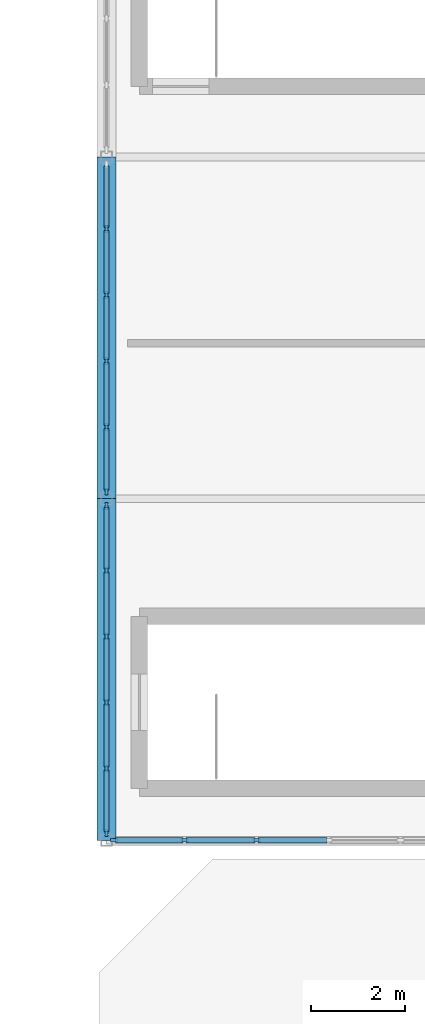
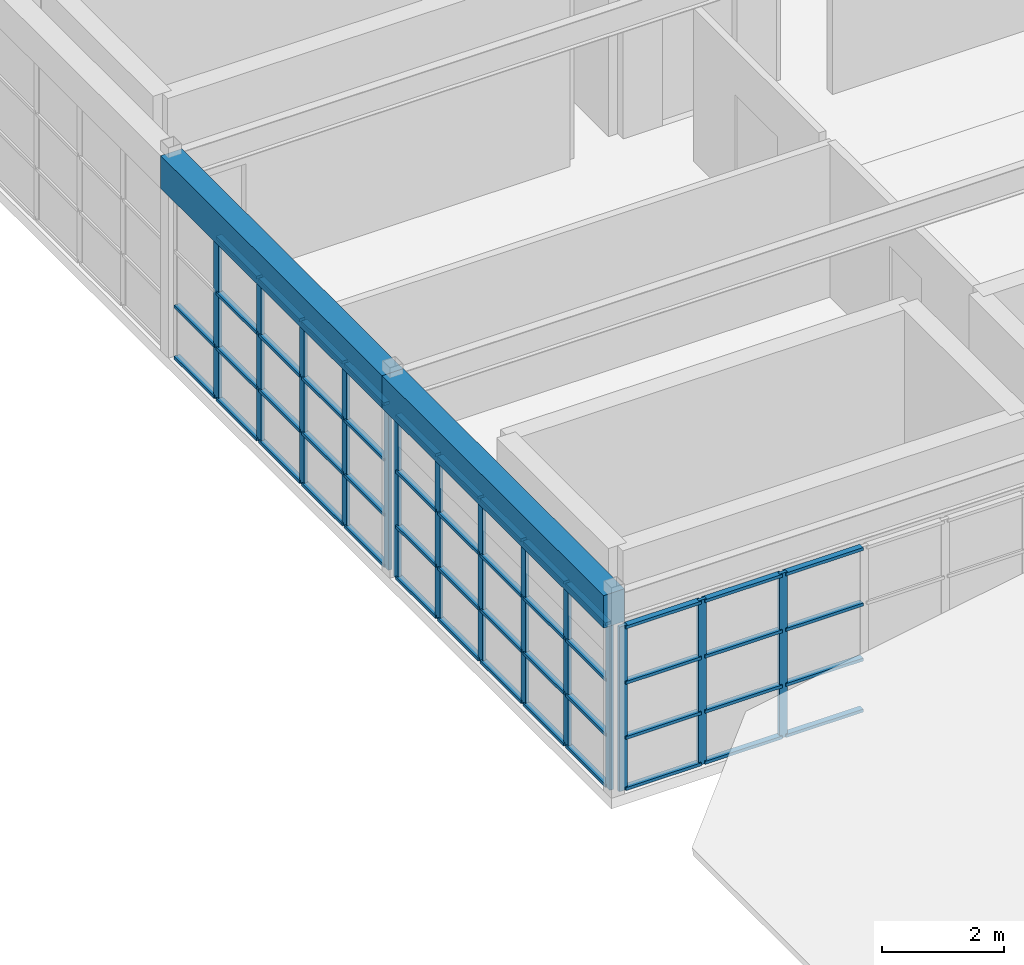
# One storey, part 8 of 19: 64 members, 2 beams, 3 elements without a shape of their own.
"""IFC4 building model written with IfcOpenShell, lengths in metres."""

from ifc_helpers import new_model, si_unit, direction, frame, origin, origin_2d, place, context, subcontext, project, spatial, rectangle, extrude, material, layer, layer_set, material_profile, profile_set, type_object, element, aggregate, save


model = new_model("IFC4")

# Units and contexts
model_context = context("Model", 3, precision=1e-05, world=origin(), true_north=direction((0.0, 1.0)))
body_context = subcontext(model_context, "Body", "Model", "MODEL_VIEW")
ifc_project = project(units=[si_unit("LENGTHUNIT", "METRE"), si_unit("AREAUNIT", "SQUARE_METRE"), si_unit("VOLUMEUNIT", "CUBIC_METRE"), si_unit("PLANEANGLEUNIT", "RADIAN"), si_unit("MASSUNIT", "GRAM", prefix="KILO")], contexts=[model_context])

# Site, building, storey
site_placement = place(None, origin())
site = spatial("IfcSite", under=ifc_project, at=site_placement, CompositionType="ELEMENT")
building_placement = place(site_placement, origin())
building = spatial("IfcBuilding", under=site, at=building_placement, Name="Candilejo Ridge Gondola Terminal", CompositionType="ELEMENT")
storey_placement = place(building_placement, frame((0.0, 0.0, 22.800048828125)))
storey = spatial("IfcBuildingStorey", under=building, at=storey_placement, Name="L05", CompositionType="ELEMENT", Elevation=22.800048828125)

# Curtain wall, members
ifc_material_1 = material(Name="Anodised aluminium AA 6063-T6", Category="aluminium")
ifc_layer_1 = layer(ifc_material_1, 0.169921875)
ifc_layer_set_1 = layer_set([ifc_layer_1], Name="ARC-CW-TOWER-3000-700X329")
curtain_wall_type_1 = type_object("IfcCurtainWallType", Name="ARC-CW-TOWER-3000-700X329", PredefinedType="NOTDEFINED", material=ifc_layer_set_1)
curtain_wall_1_placement = place(storey_placement, origin())
curtain_wall_1 = element("IfcCurtainWall", 1, at=curtain_wall_1_placement, inside=storey, type_object=curtain_wall_type_1, Name="Curtain wall V5 L05-226", PredefinedType="NOTDEFINED")
ifc_material_2 = material(Name="Anodised aluminium AA 6063-T6", Category="aluminium")
ifc_material_profile_1 = material_profile(ifc_material_2, rectangle(XDim=0.06494140625, YDim=0.14990234375, at=origin_2d()))
ifc_profile_set_1 = profile_set([ifc_material_profile_1], Name="Anodised aluminium AA 6063-T6")
member_type_1 = type_object("IfcMemberType", Name="ARC-CW-MULLION-150", PredefinedType="MULLION", material=ifc_profile_set_1)
member_1_placement = place(storey_placement, frame((150.0, 99.20751953125, 0.0), z_axis=(0.0, 0.0, 1.0), x_axis=(-1.0, 0.0, 0.0)))
member_1 = element("IfcMember", 2, at=member_1_placement, type_object=member_type_1, Name="CW-70X32 mullion 1", PredefinedType="MULLION", context=body_context, shape_type="SweptSolid", body=[
    extrude(rectangle(XDim=0.06494140625, YDim=0.14990234375, at=origin_2d()), origin(), (0.0, 0.0, 1.0), 3.2900390625),
])
member_2_placement = place(storey_placement, frame((150.0, 100.574951171875, 0.0), z_axis=(0.0, 0.0, 1.0), x_axis=(-1.0, 0.0, 0.0)))
member_2 = element("IfcMember", 3, at=member_2_placement, type_object=member_type_1, Name="CW-70X32 mullion 2", PredefinedType="MULLION", context=body_context, shape_type="SweptSolid", body=[
    extrude(rectangle(XDim=0.06494140625, YDim=0.14990234375, at=origin_2d()), origin(), (0.0, 0.0, 1.0), 3.2900390625),
])
member_3_placement = place(storey_placement, frame((150.0, 101.97509765625, 0.0), z_axis=(0.0, 0.0, 1.0), x_axis=(-1.0, 0.0, 0.0)))
member_3 = element("IfcMember", 4, at=member_3_placement, type_object=member_type_1, Name="CW-70X32 mullion 3", PredefinedType="MULLION", context=body_context, shape_type="SweptSolid", body=[
    extrude(rectangle(XDim=0.06494140625, YDim=0.14990234375, at=origin_2d()), origin(), (0.0, 0.0, 1.0), 3.2900390625),
])
member_4_placement = place(storey_placement, frame((150.0, 103.375, 0.0), z_axis=(0.0, 0.0, 1.0), x_axis=(-1.0, 0.0, 0.0)))
member_4 = element("IfcMember", 5, at=member_4_placement, type_object=member_type_1, Name="CW-70X32 mullion 4", PredefinedType="MULLION", context=body_context, shape_type="SweptSolid", body=[
    extrude(rectangle(XDim=0.06494140625, YDim=0.14990234375, at=origin_2d()), origin(), (0.0, 0.0, 1.0), 3.2900390625),
])
member_5_placement = place(storey_placement, frame((150.0, 104.77490234375, 0.0), z_axis=(0.0, 0.0, 1.0), x_axis=(-1.0, 0.0, 0.0)))
member_5 = element("IfcMember", 6, at=member_5_placement, type_object=member_type_1, Name="CW-70X32 mullion 5", PredefinedType="MULLION", context=body_context, shape_type="SweptSolid", body=[
    extrude(rectangle(XDim=0.06494140625, YDim=0.14990234375, at=origin_2d()), origin(), (0.0, 0.0, 1.0), 3.2900390625),
])
member_6_placement = place(storey_placement, frame((150.0, 106.142578125, 0.0), z_axis=(0.0, 0.0, 1.0), x_axis=(-1.0, 0.0, 0.0)))
member_6 = element("IfcMember", 7, at=member_6_placement, type_object=member_type_1, Name="CW-70X32 mullion 6", PredefinedType="MULLION", context=body_context, shape_type="SweptSolid", body=[
    extrude(rectangle(XDim=0.06494140625, YDim=0.14990234375, at=origin_2d()), origin(), (0.0, 0.0, 1.0), 3.2900390625),
])

curtain_wall_2_placement = place(storey_placement, origin())
curtain_wall_2 = element("IfcCurtainWall", 8, at=curtain_wall_2_placement, inside=storey, type_object=curtain_wall_type_1, Name="Curtain wall V5 L05-228", PredefinedType="NOTDEFINED")
member_7_placement = place(storey_placement, frame((150.0, 106.45751953125, 0.0), z_axis=(0.0, 0.0, 1.0), x_axis=(-1.0, 0.0, 0.0)))
member_7 = element("IfcMember", 9, at=member_7_placement, type_object=member_type_1, Name="CW-70X32 mullion 1", PredefinedType="MULLION", context=body_context, shape_type="SweptSolid", body=[
    extrude(rectangle(XDim=0.06494140625, YDim=0.14990234375, at=origin_2d()), origin(), (0.0, 0.0, 1.0), 3.2900390625),
])
member_8_placement = place(storey_placement, frame((150.0, 107.824951171875, 0.0), z_axis=(0.0, 0.0, 1.0), x_axis=(-1.0, 0.0, 0.0)))
member_8 = element("IfcMember", 10, at=member_8_placement, type_object=member_type_1, Name="CW-70X32 mullion 2", PredefinedType="MULLION", context=body_context, shape_type="SweptSolid", body=[
    extrude(rectangle(XDim=0.06494140625, YDim=0.14990234375, at=origin_2d()), origin(), (0.0, 0.0, 1.0), 3.2900390625),
])
member_9_placement = place(storey_placement, frame((150.0, 109.22509765625, 0.0), z_axis=(0.0, 0.0, 1.0), x_axis=(-1.0, 0.0, 0.0)))
member_9 = element("IfcMember", 11, at=member_9_placement, type_object=member_type_1, Name="CW-70X32 mullion 3", PredefinedType="MULLION", context=body_context, shape_type="SweptSolid", body=[
    extrude(rectangle(XDim=0.06494140625, YDim=0.14990234375, at=origin_2d()), origin(), (0.0, 0.0, 1.0), 3.2900390625),
])
member_10_placement = place(storey_placement, frame((150.0, 110.625, 0.0), z_axis=(0.0, 0.0, 1.0), x_axis=(-1.0, 0.0, 0.0)))
member_10 = element("IfcMember", 12, at=member_10_placement, type_object=member_type_1, Name="CW-70X32 mullion 4", PredefinedType="MULLION", context=body_context, shape_type="SweptSolid", body=[
    extrude(rectangle(XDim=0.06494140625, YDim=0.14990234375, at=origin_2d()), origin(), (0.0, 0.0, 1.0), 3.2900390625),
])
member_11_placement = place(storey_placement, frame((150.0, 112.02490234375, 0.0), z_axis=(0.0, 0.0, 1.0), x_axis=(-1.0, 0.0, 0.0)))
member_11 = element("IfcMember", 13, at=member_11_placement, type_object=member_type_1, Name="CW-70X32 mullion 5", PredefinedType="MULLION", context=body_context, shape_type="SweptSolid", body=[
    extrude(rectangle(XDim=0.06494140625, YDim=0.14990234375, at=origin_2d()), origin(), (0.0, 0.0, 1.0), 3.2900390625),
])

ifc_material_3 = material(Name="Anodised aluminium AA 6063-T6", Category="aluminium")
ifc_layer_2 = layer(ifc_material_3, 0.169921875)
ifc_layer_set_2 = layer_set([ifc_layer_2], Name="ARC-CW-TOWER-3000-1835X329")
curtain_wall_type_2 = type_object("IfcCurtainWallType", Name="ARC-CW-TOWER-3000-1835X329", PredefinedType="NOTDEFINED", material=ifc_layer_set_2)
curtain_wall_3_placement = place(storey_placement, origin())
curtain_wall_3 = element("IfcCurtainWall", 14, at=curtain_wall_3_placement, inside=storey, type_object=curtain_wall_type_2, Name="Curtain wall V5 L05-232", PredefinedType="NOTDEFINED")
member_12_placement = place(storey_placement, frame((150.157470703125, 99.050048828125, 0.0), z_axis=(0.0, 0.0, 1.0), x_axis=(0.0, 1.0, 0.0)))
member_12 = element("IfcMember", 15, at=member_12_placement, type_object=member_type_1, Name="CW-183X32 mullion 1", PredefinedType="MULLION", context=body_context, shape_type="SweptSolid", body=[
    extrude(rectangle(XDim=0.06494140625, YDim=0.14990234375, at=origin_2d()), origin(), (0.0, 0.0, 1.0), 3.2900390625),
])
member_13_placement = place(storey_placement, frame((151.654052734375, 99.050048828125, 0.0), z_axis=(0.0, 0.0, 1.0), x_axis=(0.0, 1.0, 0.0)))
member_13 = element("IfcMember", 16, at=member_13_placement, type_object=member_type_1, Name="CW-183X32 mullion 2", PredefinedType="MULLION", context=body_context, shape_type="SweptSolid", body=[
    extrude(rectangle(XDim=0.06494140625, YDim=0.14990234375, at=origin_2d()), origin(), (0.0, 0.0, 1.0), 3.2900390625),
])
member_14_placement = place(storey_placement, frame((153.183349609375, 99.050048828125, 0.0), z_axis=(0.0, 0.0, 1.0), x_axis=(0.0, 1.0, 0.0)))
member_14 = element("IfcMember", 17, at=member_14_placement, type_object=member_type_1, Name="CW-183X32 mullion 3", PredefinedType="MULLION", context=body_context, shape_type="SweptSolid", body=[
    extrude(rectangle(XDim=0.06494140625, YDim=0.14990234375, at=origin_2d()), origin(), (0.0, 0.0, 1.0), 3.2900390625),
])

# Member
ifc_material_4 = material(Name="Anodised aluminium AA 6063-T6", Category="aluminium")
ifc_material_profile_2 = material_profile(ifc_material_4, rectangle(XDim=0.110107421875, YDim=0.06005859375, at=origin_2d()))
ifc_profile_set_2 = profile_set([ifc_material_profile_2], Name="Anodised aluminium AA 6063-T6")
member_type_2 = type_object("IfcMemberType", Name="ARC-CW-TRANSOM-110", PredefinedType="USERDEFINED", material=ifc_profile_set_2)
member_15_placement = place(storey_placement, frame((150.0, 99.239990234375, 0.030029296875), z_axis=(0.0, 1.0, 0.0), x_axis=(-1.0, 0.0, 0.0)))
member_15 = element("IfcMember", 18, at=member_15_placement, type_object=member_type_2, Name="CW-70X32 transom 1.1", ObjectType="TRANSOM", PredefinedType="USERDEFINED", context=body_context, shape_type="SweptSolid", body=[
    extrude(rectangle(XDim=0.110107421875, YDim=0.06005859375, at=origin_2d()), origin(), (0.0, 0.0, 1.0), 1.302490234375),
])

member_16_placement = place(storey_placement, frame((150.0, 99.239990234375, 1.050048828125), z_axis=(0.0, 1.0, 0.0), x_axis=(-1.0, 0.0, 0.0)))
member_16 = element("IfcMember", 19, at=member_16_placement, type_object=member_type_2, Name="CW-70X32 transom 1.2", ObjectType="TRANSOM", PredefinedType="USERDEFINED", context=body_context, shape_type="SweptSolid", body=[
    extrude(rectangle(XDim=0.110107421875, YDim=0.06005859375, at=origin_2d()), origin(), (0.0, 0.0, 1.0), 1.302490234375),
])

member_17_placement = place(storey_placement, frame((150.0, 99.239990234375, 2.14990234375), z_axis=(0.0, 1.0, 0.0), x_axis=(-1.0, 0.0, 0.0)))
member_17 = element("IfcMember", 20, at=member_17_placement, type_object=member_type_2, Name="CW-70X32 transom 1.3", ObjectType="TRANSOM", PredefinedType="USERDEFINED", context=body_context, shape_type="SweptSolid", body=[
    extrude(rectangle(XDim=0.110107421875, YDim=0.06005859375, at=origin_2d()), origin(), (0.0, 0.0, 1.0), 1.302490234375),
])

member_18_placement = place(storey_placement, frame((150.0, 99.239990234375, 3.260009765625), z_axis=(0.0, 1.0, 0.0), x_axis=(-1.0, 0.0, 0.0)))
member_18 = element("IfcMember", 21, at=member_18_placement, type_object=member_type_2, Name="CW-70X32 transom 1.4", ObjectType="TRANSOM", PredefinedType="USERDEFINED", context=body_context, shape_type="SweptSolid", body=[
    extrude(rectangle(XDim=0.110107421875, YDim=0.06005859375, at=origin_2d()), origin(), (0.0, 0.0, 1.0), 1.302490234375),
])

member_19_placement = place(storey_placement, frame((150.0, 100.607421875, 0.030029296875), z_axis=(0.0, 1.0, 0.0), x_axis=(-1.0, 0.0, 0.0)))
member_19 = element("IfcMember", 22, at=member_19_placement, type_object=member_type_2, Name="CW-70X32 transom 2.1", ObjectType="TRANSOM", PredefinedType="USERDEFINED", context=body_context, shape_type="SweptSolid", body=[
    extrude(rectangle(XDim=0.110107421875, YDim=0.06005859375, at=origin_2d()), origin(), (0.0, 0.0, 1.0), 1.3349609375),
])

member_20_placement = place(storey_placement, frame((150.0, 100.607421875, 1.050048828125), z_axis=(0.0, 1.0, 0.0), x_axis=(-1.0, 0.0, 0.0)))
member_20 = element("IfcMember", 23, at=member_20_placement, type_object=member_type_2, Name="CW-70X32 transom 2.2", ObjectType="TRANSOM", PredefinedType="USERDEFINED", context=body_context, shape_type="SweptSolid", body=[
    extrude(rectangle(XDim=0.110107421875, YDim=0.06005859375, at=origin_2d()), origin(), (0.0, 0.0, 1.0), 1.3349609375),
])

member_21_placement = place(storey_placement, frame((150.0, 100.607421875, 2.14990234375), z_axis=(0.0, 1.0, 0.0), x_axis=(-1.0, 0.0, 0.0)))
member_21 = element("IfcMember", 24, at=member_21_placement, type_object=member_type_2, Name="CW-70X32 transom 2.3", ObjectType="TRANSOM", PredefinedType="USERDEFINED", context=body_context, shape_type="SweptSolid", body=[
    extrude(rectangle(XDim=0.110107421875, YDim=0.06005859375, at=origin_2d()), origin(), (0.0, 0.0, 1.0), 1.3349609375),
])

member_22_placement = place(storey_placement, frame((150.0, 100.607421875, 3.260009765625), z_axis=(0.0, 1.0, 0.0), x_axis=(-1.0, 0.0, 0.0)))
member_22 = element("IfcMember", 25, at=member_22_placement, type_object=member_type_2, Name="CW-70X32 transom 2.4", ObjectType="TRANSOM", PredefinedType="USERDEFINED", context=body_context, shape_type="SweptSolid", body=[
    extrude(rectangle(XDim=0.110107421875, YDim=0.06005859375, at=origin_2d()), origin(), (0.0, 0.0, 1.0), 1.3349609375),
])

member_23_placement = place(storey_placement, frame((150.0, 102.007568359375, 0.030029296875), z_axis=(0.0, 1.0, 0.0), x_axis=(-1.0, 0.0, 0.0)))
member_23 = element("IfcMember", 26, at=member_23_placement, type_object=member_type_2, Name="CW-70X32 transom 3.1", ObjectType="TRANSOM", PredefinedType="USERDEFINED", context=body_context, shape_type="SweptSolid", body=[
    extrude(rectangle(XDim=0.110107421875, YDim=0.06005859375, at=origin_2d()), origin(), (0.0, 0.0, 1.0), 1.3349609375),
])

member_24_placement = place(storey_placement, frame((150.0, 102.007568359375, 1.050048828125), z_axis=(0.0, 1.0, 0.0), x_axis=(-1.0, 0.0, 0.0)))
member_24 = element("IfcMember", 27, at=member_24_placement, type_object=member_type_2, Name="CW-70X32 transom 3.2", ObjectType="TRANSOM", PredefinedType="USERDEFINED", context=body_context, shape_type="SweptSolid", body=[
    extrude(rectangle(XDim=0.110107421875, YDim=0.06005859375, at=origin_2d()), origin(), (0.0, 0.0, 1.0), 1.3349609375),
])

member_25_placement = place(storey_placement, frame((150.0, 102.007568359375, 2.14990234375), z_axis=(0.0, 1.0, 0.0), x_axis=(-1.0, 0.0, 0.0)))
member_25 = element("IfcMember", 28, at=member_25_placement, type_object=member_type_2, Name="CW-70X32 transom 3.3", ObjectType="TRANSOM", PredefinedType="USERDEFINED", context=body_context, shape_type="SweptSolid", body=[
    extrude(rectangle(XDim=0.110107421875, YDim=0.06005859375, at=origin_2d()), origin(), (0.0, 0.0, 1.0), 1.3349609375),
])

member_26_placement = place(storey_placement, frame((150.0, 102.007568359375, 3.260009765625), z_axis=(0.0, 1.0, 0.0), x_axis=(-1.0, 0.0, 0.0)))
member_26 = element("IfcMember", 29, at=member_26_placement, type_object=member_type_2, Name="CW-70X32 transom 3.4", ObjectType="TRANSOM", PredefinedType="USERDEFINED", context=body_context, shape_type="SweptSolid", body=[
    extrude(rectangle(XDim=0.110107421875, YDim=0.06005859375, at=origin_2d()), origin(), (0.0, 0.0, 1.0), 1.3349609375),
])

member_27_placement = place(storey_placement, frame((150.0, 103.407470703125, 0.030029296875), z_axis=(0.0, 1.0, 0.0), x_axis=(-1.0, 0.0, 0.0)))
member_27 = element("IfcMember", 30, at=member_27_placement, type_object=member_type_2, Name="CW-70X32 transom 4.1", ObjectType="TRANSOM", PredefinedType="USERDEFINED", context=body_context, shape_type="SweptSolid", body=[
    extrude(rectangle(XDim=0.110107421875, YDim=0.06005859375, at=origin_2d()), origin(), (0.0, 0.0, 1.0), 1.3349609375),
])

member_28_placement = place(storey_placement, frame((150.0, 103.407470703125, 1.050048828125), z_axis=(0.0, 1.0, 0.0), x_axis=(-1.0, 0.0, 0.0)))
member_28 = element("IfcMember", 31, at=member_28_placement, type_object=member_type_2, Name="CW-70X32 transom 4.2", ObjectType="TRANSOM", PredefinedType="USERDEFINED", context=body_context, shape_type="SweptSolid", body=[
    extrude(rectangle(XDim=0.110107421875, YDim=0.06005859375, at=origin_2d()), origin(), (0.0, 0.0, 1.0), 1.3349609375),
])

member_29_placement = place(storey_placement, frame((150.0, 103.407470703125, 2.14990234375), z_axis=(0.0, 1.0, 0.0), x_axis=(-1.0, 0.0, 0.0)))
member_29 = element("IfcMember", 32, at=member_29_placement, type_object=member_type_2, Name="CW-70X32 transom 4.3", ObjectType="TRANSOM", PredefinedType="USERDEFINED", context=body_context, shape_type="SweptSolid", body=[
    extrude(rectangle(XDim=0.110107421875, YDim=0.06005859375, at=origin_2d()), origin(), (0.0, 0.0, 1.0), 1.3349609375),
])

member_30_placement = place(storey_placement, frame((150.0, 103.407470703125, 3.260009765625), z_axis=(0.0, 1.0, 0.0), x_axis=(-1.0, 0.0, 0.0)))
member_30 = element("IfcMember", 33, at=member_30_placement, type_object=member_type_2, Name="CW-70X32 transom 4.4", ObjectType="TRANSOM", PredefinedType="USERDEFINED", context=body_context, shape_type="SweptSolid", body=[
    extrude(rectangle(XDim=0.110107421875, YDim=0.06005859375, at=origin_2d()), origin(), (0.0, 0.0, 1.0), 1.3349609375),
])

member_31_placement = place(storey_placement, frame((150.0, 104.8076171875, 0.030029296875), z_axis=(0.0, 1.0, 0.0), x_axis=(-1.0, 0.0, 0.0)))
member_31 = element("IfcMember", 34, at=member_31_placement, type_object=member_type_2, Name="CW-70X32 transom 5.1", ObjectType="TRANSOM", PredefinedType="USERDEFINED", context=body_context, shape_type="SweptSolid", body=[
    extrude(rectangle(XDim=0.110107421875, YDim=0.06005859375, at=origin_2d()), origin(), (0.0, 0.0, 1.0), 1.302490234375),
])

member_32_placement = place(storey_placement, frame((150.0, 104.8076171875, 1.050048828125), z_axis=(0.0, 1.0, 0.0), x_axis=(-1.0, 0.0, 0.0)))
member_32 = element("IfcMember", 35, at=member_32_placement, type_object=member_type_2, Name="CW-70X32 transom 5.2", ObjectType="TRANSOM", PredefinedType="USERDEFINED", context=body_context, shape_type="SweptSolid", body=[
    extrude(rectangle(XDim=0.110107421875, YDim=0.06005859375, at=origin_2d()), origin(), (0.0, 0.0, 1.0), 1.302490234375),
])

member_33_placement = place(storey_placement, frame((150.0, 104.8076171875, 2.14990234375), z_axis=(0.0, 1.0, 0.0), x_axis=(-1.0, 0.0, 0.0)))
member_33 = element("IfcMember", 36, at=member_33_placement, type_object=member_type_2, Name="CW-70X32 transom 5.3", ObjectType="TRANSOM", PredefinedType="USERDEFINED", context=body_context, shape_type="SweptSolid", body=[
    extrude(rectangle(XDim=0.110107421875, YDim=0.06005859375, at=origin_2d()), origin(), (0.0, 0.0, 1.0), 1.302490234375),
])

member_34_placement = place(storey_placement, frame((150.0, 104.8076171875, 3.260009765625), z_axis=(0.0, 1.0, 0.0), x_axis=(-1.0, 0.0, 0.0)))
member_34 = element("IfcMember", 37, at=member_34_placement, type_object=member_type_2, Name="CW-70X32 transom 5.4", ObjectType="TRANSOM", PredefinedType="USERDEFINED", context=body_context, shape_type="SweptSolid", body=[
    extrude(rectangle(XDim=0.110107421875, YDim=0.06005859375, at=origin_2d()), origin(), (0.0, 0.0, 1.0), 1.302490234375),
])

aggregate(curtain_wall_1, [member_1, member_2, member_3, member_4, member_5, member_6, member_15, member_16, member_17, member_18, member_19, member_20, member_21, member_22, member_23, member_24, member_25, member_26, member_27, member_28, member_29, member_30, member_31, member_32, member_33, member_34])

member_35_placement = place(storey_placement, frame((150.0, 106.489990234375, 0.030029296875), z_axis=(0.0, 1.0, 0.0), x_axis=(-1.0, 0.0, 0.0)))
member_35 = element("IfcMember", 38, at=member_35_placement, type_object=member_type_2, Name="CW-70X32 transom 1.1", ObjectType="TRANSOM", PredefinedType="USERDEFINED", context=body_context, shape_type="SweptSolid", body=[
    extrude(rectangle(XDim=0.110107421875, YDim=0.06005859375, at=origin_2d()), origin(), (0.0, 0.0, 1.0), 1.302490234375),
])

member_36_placement = place(storey_placement, frame((150.0, 106.489990234375, 1.050048828125), z_axis=(0.0, 1.0, 0.0), x_axis=(-1.0, 0.0, 0.0)))
member_36 = element("IfcMember", 39, at=member_36_placement, type_object=member_type_2, Name="CW-70X32 transom 1.2", ObjectType="TRANSOM", PredefinedType="USERDEFINED", context=body_context, shape_type="SweptSolid", body=[
    extrude(rectangle(XDim=0.110107421875, YDim=0.06005859375, at=origin_2d()), origin(), (0.0, 0.0, 1.0), 1.302490234375),
])

member_37_placement = place(storey_placement, frame((150.0, 106.489990234375, 2.14990234375), z_axis=(0.0, 1.0, 0.0), x_axis=(-1.0, 0.0, 0.0)))
member_37 = element("IfcMember", 40, at=member_37_placement, type_object=member_type_2, Name="CW-70X32 transom 1.3", ObjectType="TRANSOM", PredefinedType="USERDEFINED", context=body_context, shape_type="SweptSolid", body=[
    extrude(rectangle(XDim=0.110107421875, YDim=0.06005859375, at=origin_2d()), origin(), (0.0, 0.0, 1.0), 1.302490234375),
])

member_38_placement = place(storey_placement, frame((150.0, 106.489990234375, 3.260009765625), z_axis=(0.0, 1.0, 0.0), x_axis=(-1.0, 0.0, 0.0)))
member_38 = element("IfcMember", 41, at=member_38_placement, type_object=member_type_2, Name="CW-70X32 transom 1.4", ObjectType="TRANSOM", PredefinedType="USERDEFINED", context=body_context, shape_type="SweptSolid", body=[
    extrude(rectangle(XDim=0.110107421875, YDim=0.06005859375, at=origin_2d()), origin(), (0.0, 0.0, 1.0), 1.302490234375),
])

member_39_placement = place(storey_placement, frame((150.0, 107.857421875, 0.030029296875), z_axis=(0.0, 1.0, 0.0), x_axis=(-1.0, 0.0, 0.0)))
member_39 = element("IfcMember", 42, at=member_39_placement, type_object=member_type_2, Name="CW-70X32 transom 2.1", ObjectType="TRANSOM", PredefinedType="USERDEFINED", context=body_context, shape_type="SweptSolid", body=[
    extrude(rectangle(XDim=0.110107421875, YDim=0.06005859375, at=origin_2d()), origin(), (0.0, 0.0, 1.0), 1.3349609375),
])

member_40_placement = place(storey_placement, frame((150.0, 107.857421875, 1.050048828125), z_axis=(0.0, 1.0, 0.0), x_axis=(-1.0, 0.0, 0.0)))
member_40 = element("IfcMember", 43, at=member_40_placement, type_object=member_type_2, Name="CW-70X32 transom 2.2", ObjectType="TRANSOM", PredefinedType="USERDEFINED", context=body_context, shape_type="SweptSolid", body=[
    extrude(rectangle(XDim=0.110107421875, YDim=0.06005859375, at=origin_2d()), origin(), (0.0, 0.0, 1.0), 1.3349609375),
])

member_41_placement = place(storey_placement, frame((150.0, 107.857421875, 2.14990234375), z_axis=(0.0, 1.0, 0.0), x_axis=(-1.0, 0.0, 0.0)))
member_41 = element("IfcMember", 44, at=member_41_placement, type_object=member_type_2, Name="CW-70X32 transom 2.3", ObjectType="TRANSOM", PredefinedType="USERDEFINED", context=body_context, shape_type="SweptSolid", body=[
    extrude(rectangle(XDim=0.110107421875, YDim=0.06005859375, at=origin_2d()), origin(), (0.0, 0.0, 1.0), 1.3349609375),
])

member_42_placement = place(storey_placement, frame((150.0, 107.857421875, 3.260009765625), z_axis=(0.0, 1.0, 0.0), x_axis=(-1.0, 0.0, 0.0)))
member_42 = element("IfcMember", 45, at=member_42_placement, type_object=member_type_2, Name="CW-70X32 transom 2.4", ObjectType="TRANSOM", PredefinedType="USERDEFINED", context=body_context, shape_type="SweptSolid", body=[
    extrude(rectangle(XDim=0.110107421875, YDim=0.06005859375, at=origin_2d()), origin(), (0.0, 0.0, 1.0), 1.3349609375),
])

member_43_placement = place(storey_placement, frame((150.0, 109.257568359375, 0.030029296875), z_axis=(0.0, 1.0, 0.0), x_axis=(-1.0, 0.0, 0.0)))
member_43 = element("IfcMember", 46, at=member_43_placement, type_object=member_type_2, Name="CW-70X32 transom 3.1", ObjectType="TRANSOM", PredefinedType="USERDEFINED", context=body_context, shape_type="SweptSolid", body=[
    extrude(rectangle(XDim=0.110107421875, YDim=0.06005859375, at=origin_2d()), origin(), (0.0, 0.0, 1.0), 1.3349609375),
])

member_44_placement = place(storey_placement, frame((150.0, 109.257568359375, 1.050048828125), z_axis=(0.0, 1.0, 0.0), x_axis=(-1.0, 0.0, 0.0)))
member_44 = element("IfcMember", 47, at=member_44_placement, type_object=member_type_2, Name="CW-70X32 transom 3.2", ObjectType="TRANSOM", PredefinedType="USERDEFINED", context=body_context, shape_type="SweptSolid", body=[
    extrude(rectangle(XDim=0.110107421875, YDim=0.06005859375, at=origin_2d()), origin(), (0.0, 0.0, 1.0), 1.3349609375),
])

member_45_placement = place(storey_placement, frame((150.0, 109.257568359375, 2.14990234375), z_axis=(0.0, 1.0, 0.0), x_axis=(-1.0, 0.0, 0.0)))
member_45 = element("IfcMember", 48, at=member_45_placement, type_object=member_type_2, Name="CW-70X32 transom 3.3", ObjectType="TRANSOM", PredefinedType="USERDEFINED", context=body_context, shape_type="SweptSolid", body=[
    extrude(rectangle(XDim=0.110107421875, YDim=0.06005859375, at=origin_2d()), origin(), (0.0, 0.0, 1.0), 1.3349609375),
])

member_46_placement = place(storey_placement, frame((150.0, 109.257568359375, 3.260009765625), z_axis=(0.0, 1.0, 0.0), x_axis=(-1.0, 0.0, 0.0)))
member_46 = element("IfcMember", 49, at=member_46_placement, type_object=member_type_2, Name="CW-70X32 transom 3.4", ObjectType="TRANSOM", PredefinedType="USERDEFINED", context=body_context, shape_type="SweptSolid", body=[
    extrude(rectangle(XDim=0.110107421875, YDim=0.06005859375, at=origin_2d()), origin(), (0.0, 0.0, 1.0), 1.3349609375),
])

member_47_placement = place(storey_placement, frame((150.0, 110.657470703125, 0.030029296875), z_axis=(0.0, 1.0, 0.0), x_axis=(-1.0, 0.0, 0.0)))
member_47 = element("IfcMember", 50, at=member_47_placement, type_object=member_type_2, Name="CW-70X32 transom 4.1", ObjectType="TRANSOM", PredefinedType="USERDEFINED", context=body_context, shape_type="SweptSolid", body=[
    extrude(rectangle(XDim=0.110107421875, YDim=0.06005859375, at=origin_2d()), origin(), (0.0, 0.0, 1.0), 1.3349609375),
])

member_48_placement = place(storey_placement, frame((150.0, 110.657470703125, 1.050048828125), z_axis=(0.0, 1.0, 0.0), x_axis=(-1.0, 0.0, 0.0)))
member_48 = element("IfcMember", 51, at=member_48_placement, type_object=member_type_2, Name="CW-70X32 transom 4.2", ObjectType="TRANSOM", PredefinedType="USERDEFINED", context=body_context, shape_type="SweptSolid", body=[
    extrude(rectangle(XDim=0.110107421875, YDim=0.06005859375, at=origin_2d()), origin(), (0.0, 0.0, 1.0), 1.3349609375),
])

member_49_placement = place(storey_placement, frame((150.0, 110.657470703125, 2.14990234375), z_axis=(0.0, 1.0, 0.0), x_axis=(-1.0, 0.0, 0.0)))
member_49 = element("IfcMember", 52, at=member_49_placement, type_object=member_type_2, Name="CW-70X32 transom 4.3", ObjectType="TRANSOM", PredefinedType="USERDEFINED", context=body_context, shape_type="SweptSolid", body=[
    extrude(rectangle(XDim=0.110107421875, YDim=0.06005859375, at=origin_2d()), origin(), (0.0, 0.0, 1.0), 1.3349609375),
])

member_50_placement = place(storey_placement, frame((150.0, 110.657470703125, 3.260009765625), z_axis=(0.0, 1.0, 0.0), x_axis=(-1.0, 0.0, 0.0)))
member_50 = element("IfcMember", 53, at=member_50_placement, type_object=member_type_2, Name="CW-70X32 transom 4.4", ObjectType="TRANSOM", PredefinedType="USERDEFINED", context=body_context, shape_type="SweptSolid", body=[
    extrude(rectangle(XDim=0.110107421875, YDim=0.06005859375, at=origin_2d()), origin(), (0.0, 0.0, 1.0), 1.3349609375),
])

member_51_placement = place(storey_placement, frame((150.0, 112.0576171875, 0.030029296875), z_axis=(0.0, 1.0, 0.0), x_axis=(-1.0, 0.0, 0.0)))
member_51 = element("IfcMember", 54, at=member_51_placement, type_object=member_type_2, Name="CW-70X32 transom 5.1", ObjectType="TRANSOM", PredefinedType="USERDEFINED", context=body_context, shape_type="SweptSolid", body=[
    extrude(rectangle(XDim=0.110107421875, YDim=0.06005859375, at=origin_2d()), origin(), (0.0, 0.0, 1.0), 1.302490234375),
])

member_52_placement = place(storey_placement, frame((150.0, 112.0576171875, 1.050048828125), z_axis=(0.0, 1.0, 0.0), x_axis=(-1.0, 0.0, 0.0)))
member_52 = element("IfcMember", 55, at=member_52_placement, type_object=member_type_2, Name="CW-70X32 transom 5.2", ObjectType="TRANSOM", PredefinedType="USERDEFINED", context=body_context, shape_type="SweptSolid", body=[
    extrude(rectangle(XDim=0.110107421875, YDim=0.06005859375, at=origin_2d()), origin(), (0.0, 0.0, 1.0), 1.302490234375),
])

aggregate(curtain_wall_2, [member_7, member_8, member_9, member_10, member_11, member_35, member_36, member_37, member_38, member_39, member_40, member_41, member_42, member_43, member_44, member_45, member_46, member_47, member_48, member_49, member_50, member_51, member_52])

member_53_placement = place(storey_placement, frame((150.18994140625, 99.050048828125, 0.030029296875), z_axis=(1.0, 0.0, 0.0), x_axis=(0.0, 1.0, 0.0)))
member_53 = element("IfcMember", 56, at=member_53_placement, type_object=member_type_2, Name="CW-183X32 transom 1.1", ObjectType="TRANSOM", PredefinedType="USERDEFINED", context=body_context, shape_type="SweptSolid", body=[
    extrude(rectangle(XDim=0.110107421875, YDim=0.06005859375, at=origin_2d()), origin(), (0.0, 0.0, 1.0), 1.431640625),
])

member_54_placement = place(storey_placement, frame((150.18994140625, 99.050048828125, 1.050048828125), z_axis=(1.0, 0.0, 0.0), x_axis=(0.0, 1.0, 0.0)))
member_54 = element("IfcMember", 57, at=member_54_placement, type_object=member_type_2, Name="CW-183X32 transom 1.2", ObjectType="TRANSOM", PredefinedType="USERDEFINED", context=body_context, shape_type="SweptSolid", body=[
    extrude(rectangle(XDim=0.110107421875, YDim=0.06005859375, at=origin_2d()), origin(), (0.0, 0.0, 1.0), 1.431640625),
])

member_55_placement = place(storey_placement, frame((150.18994140625, 99.050048828125, 2.14990234375), z_axis=(1.0, 0.0, 0.0), x_axis=(0.0, 1.0, 0.0)))
member_55 = element("IfcMember", 58, at=member_55_placement, type_object=member_type_2, Name="CW-183X32 transom 1.3", ObjectType="TRANSOM", PredefinedType="USERDEFINED", context=body_context, shape_type="SweptSolid", body=[
    extrude(rectangle(XDim=0.110107421875, YDim=0.06005859375, at=origin_2d()), origin(), (0.0, 0.0, 1.0), 1.431640625),
])

member_56_placement = place(storey_placement, frame((150.18994140625, 99.050048828125, 3.260009765625), z_axis=(1.0, 0.0, 0.0), x_axis=(0.0, 1.0, 0.0)))
member_56 = element("IfcMember", 59, at=member_56_placement, type_object=member_type_2, Name="CW-183X32 transom 1.4", ObjectType="TRANSOM", PredefinedType="USERDEFINED", context=body_context, shape_type="SweptSolid", body=[
    extrude(rectangle(XDim=0.110107421875, YDim=0.06005859375, at=origin_2d()), origin(), (0.0, 0.0, 1.0), 1.431640625),
])

member_57_placement = place(storey_placement, frame((151.686767578125, 99.050048828125, 0.030029296875), z_axis=(1.0, 0.0, 0.0), x_axis=(0.0, 1.0, 0.0)))
member_57 = element("IfcMember", 60, at=member_57_placement, type_object=member_type_2, Name="CW-183X32 transom 2.1", ObjectType="TRANSOM", PredefinedType="USERDEFINED", context=body_context, shape_type="SweptSolid", body=[
    extrude(rectangle(XDim=0.110107421875, YDim=0.06005859375, at=origin_2d()), origin(), (0.0, 0.0, 1.0), 1.464111328125),
])

member_58_placement = place(storey_placement, frame((151.686767578125, 99.050048828125, 1.050048828125), z_axis=(1.0, 0.0, 0.0), x_axis=(0.0, 1.0, 0.0)))
member_58 = element("IfcMember", 61, at=member_58_placement, type_object=member_type_2, Name="CW-183X32 transom 2.2", ObjectType="TRANSOM", PredefinedType="USERDEFINED", context=body_context, shape_type="SweptSolid", body=[
    extrude(rectangle(XDim=0.110107421875, YDim=0.06005859375, at=origin_2d()), origin(), (0.0, 0.0, 1.0), 1.464111328125),
])

member_59_placement = place(storey_placement, frame((151.686767578125, 99.050048828125, 2.14990234375), z_axis=(1.0, 0.0, 0.0), x_axis=(0.0, 1.0, 0.0)))
member_59 = element("IfcMember", 62, at=member_59_placement, type_object=member_type_2, Name="CW-183X32 transom 2.3", ObjectType="TRANSOM", PredefinedType="USERDEFINED", context=body_context, shape_type="SweptSolid", body=[
    extrude(rectangle(XDim=0.110107421875, YDim=0.06005859375, at=origin_2d()), origin(), (0.0, 0.0, 1.0), 1.464111328125),
])

member_60_placement = place(storey_placement, frame((151.686767578125, 99.050048828125, 3.260009765625), z_axis=(1.0, 0.0, 0.0), x_axis=(0.0, 1.0, 0.0)))
member_60 = element("IfcMember", 63, at=member_60_placement, type_object=member_type_2, Name="CW-183X32 transom 2.4", ObjectType="TRANSOM", PredefinedType="USERDEFINED", context=body_context, shape_type="SweptSolid", body=[
    extrude(rectangle(XDim=0.110107421875, YDim=0.06005859375, at=origin_2d()), origin(), (0.0, 0.0, 1.0), 1.464111328125),
])

member_61_placement = place(storey_placement, frame((153.2158203125, 99.050048828125, 0.030029296875), z_axis=(1.0, 0.0, 0.0), x_axis=(0.0, 1.0, 0.0)))
member_61 = element("IfcMember", 64, at=member_61_placement, type_object=member_type_2, Name="CW-183X32 transom 3.1", ObjectType="TRANSOM", PredefinedType="USERDEFINED", context=body_context, shape_type="SweptSolid", body=[
    extrude(rectangle(XDim=0.110107421875, YDim=0.06005859375, at=origin_2d()), origin(), (0.0, 0.0, 1.0), 1.464111328125),
])

member_62_placement = place(storey_placement, frame((153.2158203125, 99.050048828125, 1.050048828125), z_axis=(1.0, 0.0, 0.0), x_axis=(0.0, 1.0, 0.0)))
member_62 = element("IfcMember", 65, at=member_62_placement, type_object=member_type_2, Name="CW-183X32 transom 3.2", ObjectType="TRANSOM", PredefinedType="USERDEFINED", context=body_context, shape_type="SweptSolid", body=[
    extrude(rectangle(XDim=0.110107421875, YDim=0.06005859375, at=origin_2d()), origin(), (0.0, 0.0, 1.0), 1.464111328125),
])

member_63_placement = place(storey_placement, frame((153.2158203125, 99.050048828125, 2.14990234375), z_axis=(1.0, 0.0, 0.0), x_axis=(0.0, 1.0, 0.0)))
member_63 = element("IfcMember", 66, at=member_63_placement, type_object=member_type_2, Name="CW-183X32 transom 3.3", ObjectType="TRANSOM", PredefinedType="USERDEFINED", context=body_context, shape_type="SweptSolid", body=[
    extrude(rectangle(XDim=0.110107421875, YDim=0.06005859375, at=origin_2d()), origin(), (0.0, 0.0, 1.0), 1.464111328125),
])

member_64_placement = place(storey_placement, frame((153.2158203125, 99.050048828125, 3.260009765625), z_axis=(1.0, 0.0, 0.0), x_axis=(0.0, 1.0, 0.0)))
member_64 = element("IfcMember", 67, at=member_64_placement, type_object=member_type_2, Name="CW-183X32 transom 3.4", ObjectType="TRANSOM", PredefinedType="USERDEFINED", context=body_context, shape_type="SweptSolid", body=[
    extrude(rectangle(XDim=0.110107421875, YDim=0.06005859375, at=origin_2d()), origin(), (0.0, 0.0, 1.0), 1.464111328125),
])

aggregate(curtain_wall_3, [member_12, member_13, member_14, member_53, member_54, member_55, member_56, member_57, member_58, member_59, member_60, member_61, member_62, member_63, member_64])

# Beams
ifc_material_5 = material(Name="Concrete f'c 35 MPa (C35/45)", Category="concrete")
ifc_material_profile_3 = material_profile(ifc_material_5, rectangle(XDim=0.39990234375, YDim=0.64990234375, at=origin_2d()))
ifc_profile_set_3 = profile_set([ifc_material_profile_3], Name="Concrete f'c 35 MPa (C35/45)")
beam_type = type_object("IfcBeamType", Name="STR-SPN-RC400X650", PredefinedType="SPANDREL", material=ifc_profile_set_3)
for number, where, z_axis, x_axis, name in (
    (68, (150.0, 99.050048828125, 3.675048828125), (0.0, 1.0, 0.0), (-1.0, 0.0, 0.0), "Beam Y V5 L05 Y17-Y18@X23"),
    (69, (150.0, 106.300048828125, 3.675048828125), (0.0, 1.0, 0.0), (-1.0, 0.0, 0.0), "Beam Y V5 L05 Y18-Y19@X23"),
):
    element("IfcBeam", number, at=place(storey_placement, frame(where, z_axis=z_axis, x_axis=x_axis)), inside=storey, type_object=beam_type, Name=name, PredefinedType="SPANDREL", context=body_context, shape_type="SweptSolid", body=[
        extrude(rectangle(XDim=0.39990234375, YDim=0.64990234375, at=origin_2d()), origin(), (0.0, 0.0, 1.0), 7.25),
    ])

save(model, "model.ifc")
